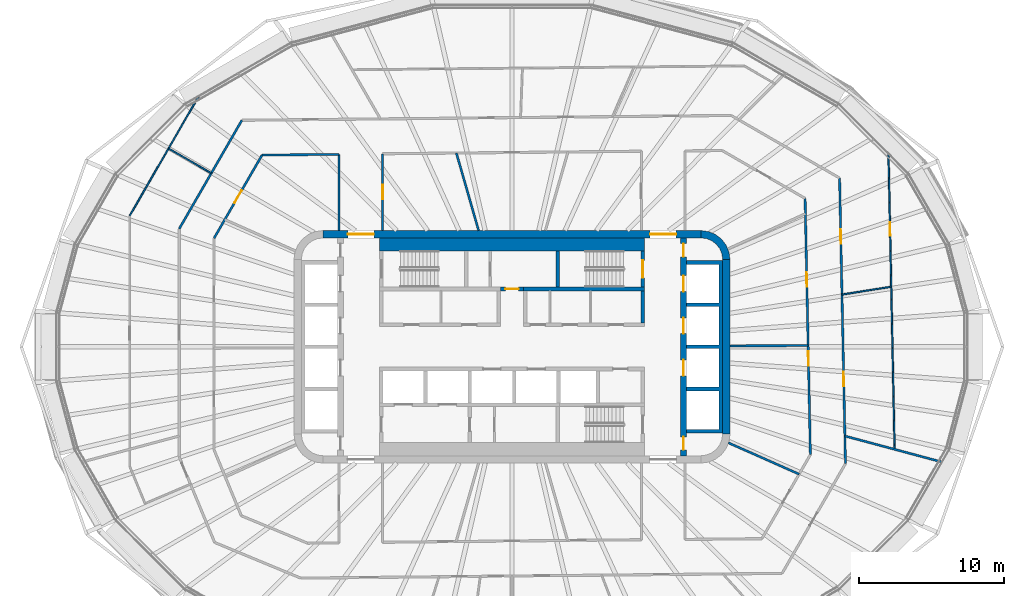
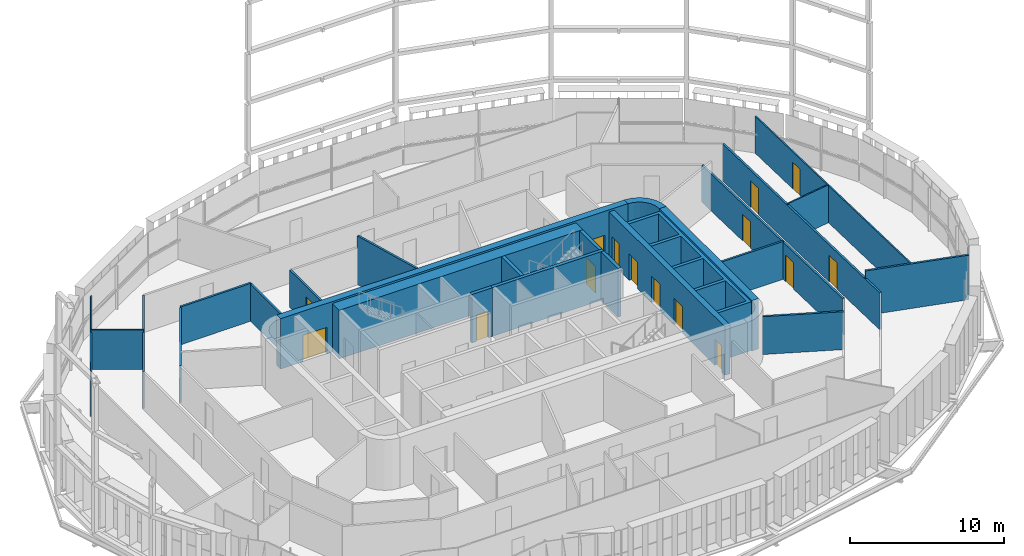
# One storey, part 14 of 24: 26 walls, 16 doors, 16 openings.
"""IFC4 building model written with IfcOpenShell, lengths in metres."""

from ifc_helpers import new_model, si_unit, direction, frame, frame_2d, origin, place, context, subcontext, project, spatial, polyline, rectangle, outline, extrude, material, layer, layer_set, type_object, element, fill, save


model = new_model("IFC4")

# Units and contexts
model_context = context("Model", 3, precision=1e-05, world=origin(), true_north=direction((0.0, 1.0)))
body_context = subcontext(model_context, "Body", "Model", "MODEL_VIEW")
ifc_project = project(units=[si_unit("LENGTHUNIT", "METRE"), si_unit("AREAUNIT", "SQUARE_METRE"), si_unit("VOLUMEUNIT", "CUBIC_METRE"), si_unit("PLANEANGLEUNIT", "RADIAN"), si_unit("MASSUNIT", "GRAM", prefix="KILO")], contexts=[model_context])

# Site, building, storey
site_placement = place(None, origin())
site = spatial("IfcSite", under=ifc_project, at=site_placement, CompositionType="ELEMENT")
building_placement = place(site_placement, origin())
building = spatial("IfcBuilding", under=site, at=building_placement, Name="Sahrelin Media Tower", CompositionType="ELEMENT")
storey_placement = place(building_placement, frame((0.0, 0.0, 153.60009765625)))
storey = spatial("IfcBuildingStorey", under=building, at=storey_placement, Name="L31", CompositionType="ELEMENT", Elevation=153.60009765625)

# Wall, openings, doors
ifc_material_1 = material(Name="Concrete C60/75", Category="concrete")
ifc_layer_1 = layer(ifc_material_1, 0.5)
ifc_layer_set_1 = layer_set([ifc_layer_1], Name="Core wall 500")
wall_type_1 = type_object("IfcWallType", Name="Core wall 500", PredefinedType="SHEAR", material=ifc_layer_set_1)
wall_1_placement = place(storey_placement, frame((-13.0, 7.75, 0.0), z_axis=(0.0, 0.0, 1.0), x_axis=(1.0, 0.0, 0.0)))
wall_1 = element("IfcWall", 1, at=wall_1_placement, inside=storey, type_object=wall_type_1, Name="Core wall N L31", PredefinedType="SHEAR", context=body_context, shape_type="SweptSolid", body=[
    extrude(rectangle(XDim=26.0, YDim=0.5, at=frame_2d((13.0, 0.0))), origin(), (0.0, 0.0, 1.0), 4.0),
])
opening_1_placement = place(wall_1_placement, frame((1.699951171875, 0.0, 0.0)))
opening_1 = element("IfcOpeningElement", 2, at=opening_1_placement, cuts=wall_1, Name="Opening L31-D19", PredefinedType="OPENING", context=body_context, shape_type="SweptSolid", body=[
    extrude(rectangle(XDim=1.800048828125, YDim=2.10009765625, at=frame_2d((0.89990234375, 1.050048828125))), frame((0.0, 0.25, 0.0), z_axis=(0.0, -1.0, 0.0), x_axis=(1.0, 0.0, 0.0)), (0.0, 0.0, 1.0), 0.5),
])
opening_2_placement = place(wall_1_placement, frame((22.5, 0.0, 0.0)))
opening_2 = element("IfcOpeningElement", 3, at=opening_2_placement, cuts=wall_1, Name="Opening L31-D20", PredefinedType="OPENING", context=body_context, shape_type="SweptSolid", body=[
    extrude(rectangle(XDim=1.800048828125, YDim=2.10009765625, at=frame_2d((0.89990234375, 1.050048828125))), frame((0.0, 0.25, 0.0), z_axis=(0.0, -1.0, 0.0), x_axis=(1.0, 0.0, 0.0)), (0.0, 0.0, 1.0), 0.5),
])
ifc_material_2 = material(Name="Steel fire door leaf", Category="steel")
door_type_1 = type_object("IfcDoorType", Name="Lobby double door 1800 x 2100 EI 60", OperationType="DOUBLE_DOOR_SINGLE_SWING", PredefinedType="DOOR", material=ifc_material_2)
door_1_placement = place(opening_1_placement, origin())
door_1 = element("IfcDoor", 4, at=door_1_placement, inside=storey, type_object=door_type_1, Name="Lobby door", OperationType="DOUBLE_DOOR_SINGLE_SWING", OverallHeight=2.10009765625, OverallWidth=1.800048828125, PredefinedType="DOOR", context=body_context, shape_type="SweptSolid", body=[
    extrude(rectangle(XDim=1.800048828125, YDim=2.10009765625, at=frame_2d((0.89990234375, 1.050048828125))), frame((0.0, 0.02490234375, 0.0), z_axis=(0.0, -1.0, 0.0), x_axis=(1.0, 0.0, 0.0)), (0.0, 0.0, 1.0), 0.050048828125),
])
fill(opening_1, door_1)
door_2_placement = place(opening_2_placement, origin())
door_2 = element("IfcDoor", 5, at=door_2_placement, inside=storey, type_object=door_type_1, Name="Lobby door", OperationType="DOUBLE_DOOR_SINGLE_SWING", OverallHeight=2.10009765625, OverallWidth=1.800048828125, PredefinedType="DOOR", context=body_context, shape_type="SweptSolid", body=[
    extrude(rectangle(XDim=1.800048828125, YDim=2.10009765625, at=frame_2d((0.89990234375, 1.050048828125))), frame((0.0, 0.02490234375, 0.0), z_axis=(0.0, -1.0, 0.0), x_axis=(1.0, 0.0, 0.0)), (0.0, 0.0, 1.0), 0.050048828125),
])
fill(opening_2, door_2)

# Walls
wall_2_placement = place(storey_placement, frame((14.75, -6.0, 0.0), z_axis=(0.0, 0.0, 1.0), x_axis=(0.0, 1.0, 0.0)))
element("IfcWall", 6, at=wall_2_placement, inside=storey, type_object=wall_type_1, Name="Core wall E L31", PredefinedType="SHEAR", context=body_context, shape_type="SweptSolid", body=[
    extrude(rectangle(XDim=12.0, YDim=0.5, at=frame_2d((6.0, 0.0))), origin(), (0.0, 0.0, 1.0), 4.0),
])
placement = place(storey_placement, origin())
element("IfcWall", 7, at=placement, inside=storey, type_object=wall_type_1, Name="Core wall corner NE L31", PredefinedType="SHEAR", context=body_context, shape_type="SweptSolid", body=[
    extrude(outline(polyline([(13.0, 8.0), (13.0, 7.49560546875), (13.38720703125, 7.44482421875), (13.747802734375, 7.29541015625), (14.0576171875, 7.0576171875), (14.29541015625, 6.747802734375), (14.44482421875, 6.38720703125), (14.49560546875, 6.0), (15.0, 6.0), (14.931884765625, 6.517578125), (14.732177734375, 7.0), (14.414306640625, 7.414306640625), (14.0, 7.732177734375), (13.517578125, 7.931884765625), (13.0, 8.0)])), origin(), (0.0, 0.0, 1.0), 4.0),
])

# Wall, opening, door
ifc_material_3 = material(Name="Fire-rated gypsum board partition")
ifc_layer_2 = layer(ifc_material_3, 0.25)
ifc_layer_set_2 = layer_set([ifc_layer_2], Name="Fire-rated lobby wall 250")
wall_type_2 = type_object("IfcWallType", Name="Fire-rated lobby wall 250", PredefinedType="PARTITIONING", material=ifc_layer_set_2)
wall_4_placement = place(storey_placement, frame((-0.77490234375, 3.97509765625, 0.0), z_axis=(0.0, 0.0, 1.0), x_axis=(1.0, 0.0, 0.0)))
wall_4 = element("IfcWall", 8, at=wall_4_placement, inside=storey, type_object=wall_type_2, Name="Core lobby wall", PredefinedType="PARTITIONING", context=body_context, shape_type="SweptSolid", body=[
    extrude(rectangle(XDim=1.5498046875, YDim=0.25, at=frame_2d((0.77490234375, 0.0))), origin(), (0.0, 0.0, 1.0), 3.849853515625),
])
opening_3_placement = place(wall_4_placement, frame((0.324951171875, 0.0, 0.0)))
opening_3 = element("IfcOpeningElement", 9, at=opening_3_placement, cuts=wall_4, Name="Opening L31-D06", PredefinedType="OPENING", context=body_context, shape_type="SweptSolid", body=[
    extrude(rectangle(XDim=0.89990234375, YDim=2.10009765625, at=frame_2d((0.449951171875, 1.050048828125))), frame((0.0, 0.125, 0.0), z_axis=(0.0, -1.0, 0.0), x_axis=(1.0, 0.0, 0.0)), (0.0, 0.0, 1.0), 0.25),
])
door_type_2 = type_object("IfcDoorType", Name="Riser door 900 x 2100 EI 120", OperationType="NOTDEFINED", PredefinedType="DOOR", material=ifc_material_2)
door_3_placement = place(opening_3_placement, origin())
door_3 = element("IfcDoor", 10, at=door_3_placement, inside=storey, type_object=door_type_2, Name="Core room door", OperationType="SINGLE_SWING_LEFT", OverallHeight=2.10009765625, OverallWidth=0.89990234375, PredefinedType="DOOR", context=body_context, shape_type="SweptSolid", body=[
    extrude(rectangle(XDim=0.89990234375, YDim=2.10009765625, at=frame_2d((0.449951171875, 1.050048828125))), frame((0.0, 0.02490234375, 0.0), z_axis=(0.0, -1.0, 0.0), x_axis=(1.0, 0.0, 0.0)), (0.0, 0.0, 1.0), 0.050048828125),
])
fill(opening_3, door_3)

# Wall
wall_5_placement = place(storey_placement, frame((9.0, 1.64990234375, 0.0), z_axis=(0.0, 0.0, 1.0), x_axis=(0.0, 1.0, 0.0)))
element("IfcWall", 11, at=wall_5_placement, inside=storey, type_object=wall_type_2, Name="Core lobby wall", PredefinedType="PARTITIONING", context=body_context, shape_type="SweptSolid", body=[
    extrude(rectangle(XDim=2.2001953125, YDim=0.25, at=frame_2d((1.10009765625, 0.0))), origin(), (0.0, 0.0, 1.0), 3.849853515625),
])

# Wall, openings, doors
ifc_layer_3 = layer(ifc_material_3, 0.14990234375)
ifc_layer_set_3 = layer_set([ifc_layer_3], Name="Fire-rated partition 150")
wall_type_3 = type_object("IfcWallType", Name="Fire-rated partition 150", PredefinedType="PARTITIONING", material=ifc_layer_set_3)
wall_6_placement = place(storey_placement, frame((20.1669921875, 10.212890625, 0.0), z_axis=(0.0, 0.0, 1.0), x_axis=(0.020610894613, -0.999787572949, 0.0)))
wall_6 = element("IfcWall", 12, at=wall_6_placement, inside=storey, type_object=wall_type_3, Name="Wall", PredefinedType="PARTITIONING", context=body_context, shape_type="SweptSolid", body=[
    extrude(rectangle(XDim=17.637451171875, YDim=0.14990234375, at=frame_2d((8.81884765625, 0.0))), origin(), (0.0, 0.0, 1.0), 2.927001953125),
])
opening_4_placement = place(wall_6_placement, frame((10.5078125, 0.0, 0.0)))
opening_4 = element("IfcOpeningElement", 13, at=opening_4_placement, cuts=wall_6, Name="Opening L31-D27", PredefinedType="OPENING", context=body_context, shape_type="SweptSolid", body=[
    extrude(rectangle(XDim=1.0, YDim=2.10009765625, at=frame_2d((0.5, 1.050048828125))), frame((0.0, 0.074951171875, 0.0), z_axis=(0.0, -1.0, 0.0), x_axis=(1.0, 0.0, 0.0)), (0.0, 0.0, 1.0), 0.14990234375),
])
opening_5_placement = place(wall_6_placement, frame((5.089599609375, 0.0, 0.0)))
opening_5 = element("IfcOpeningElement", 14, at=opening_5_placement, cuts=wall_6, Name="Opening L31-D28", PredefinedType="OPENING", context=body_context, shape_type="SweptSolid", body=[
    extrude(rectangle(XDim=1.0, YDim=2.10009765625, at=frame_2d((0.5, 1.050048828125))), frame((0.0, 0.074951171875, 0.0), z_axis=(0.0, -1.0, 0.0), x_axis=(1.0, 0.0, 0.0)), (0.0, 0.0, 1.0), 0.14990234375),
])
door_type_3 = type_object("IfcDoorType", Name="Fire door 1000 x 2100 EI 60", OperationType="NOTDEFINED", PredefinedType="DOOR", material=ifc_material_2)
door_4_placement = place(opening_4_placement, origin())
door_4 = element("IfcDoor", 15, at=door_4_placement, inside=storey, type_object=door_type_3, Name="Fire door", OperationType="SINGLE_SWING_RIGHT", OverallHeight=2.10009765625, OverallWidth=1.0, PredefinedType="DOOR", context=body_context, shape_type="SweptSolid", body=[
    extrude(rectangle(XDim=1.0, YDim=2.10009765625, at=frame_2d((0.5, 1.050048828125))), frame((0.0, 0.02490234375, 0.0), z_axis=(0.0, -1.0, 0.0), x_axis=(1.0, 0.0, 0.0)), (0.0, 0.0, 1.0), 0.050048828125),
])
fill(opening_4, door_4)
door_5_placement = place(opening_5_placement, origin())
door_5 = element("IfcDoor", 16, at=door_5_placement, inside=storey, type_object=door_type_3, Name="Fire door", OperationType="SINGLE_SWING_LEFT", OverallHeight=2.10009765625, OverallWidth=1.0, PredefinedType="DOOR", context=body_context, shape_type="SweptSolid", body=[
    extrude(rectangle(XDim=1.0, YDim=2.10009765625, at=frame_2d((0.5, 1.050048828125))), frame((0.0, 0.02490234375, 0.0), z_axis=(0.0, -1.0, 0.0), x_axis=(1.0, 0.0, 0.0)), (0.0, 0.0, 1.0), 0.050048828125),
])
fill(opening_5, door_5)

wall_7_placement = place(storey_placement, frame((22.5390625, 11.614990234375, 0.0), z_axis=(0.0, 0.0, 1.0), x_axis=(0.020601506683, -0.99978776644, 0.0)))
wall_7 = element("IfcWall", 17, at=wall_7_placement, inside=storey, type_object=wall_type_3, Name="Wall", PredefinedType="PARTITIONING", context=body_context, shape_type="SweptSolid", body=[
    extrude(rectangle(XDim=19.66015625, YDim=0.14990234375, at=frame_2d((9.830078125, 0.0))), origin(), (0.0, 0.0, 1.0), 2.927001953125),
])
opening_6_placement = place(wall_7_placement, frame((13.34130859375, 0.0, 0.0)))
opening_6 = element("IfcOpeningElement", 18, at=opening_6_placement, cuts=wall_7, Name="Opening L31-D53", PredefinedType="OPENING", context=body_context, shape_type="SweptSolid", body=[
    extrude(rectangle(XDim=1.0, YDim=2.10009765625, at=frame_2d((0.5, 1.050048828125))), frame((0.0, 0.074951171875, 0.0), z_axis=(0.0, -1.0, 0.0), x_axis=(1.0, 0.0, 0.0)), (0.0, 0.0, 1.0), 0.14990234375),
])
opening_7_placement = place(wall_7_placement, frame((3.509521484375, 0.0, 0.0)))
opening_7 = element("IfcOpeningElement", 19, at=opening_7_placement, cuts=wall_7, Name="Opening L31-D54", PredefinedType="OPENING", context=body_context, shape_type="SweptSolid", body=[
    extrude(rectangle(XDim=1.0, YDim=2.10009765625, at=frame_2d((0.5, 1.050048828125))), frame((0.0, 0.074951171875, 0.0), z_axis=(0.0, -1.0, 0.0), x_axis=(1.0, 0.0, 0.0)), (0.0, 0.0, 1.0), 0.14990234375),
])
door_6_placement = place(opening_6_placement, origin())
door_6 = element("IfcDoor", 20, at=door_6_placement, inside=storey, type_object=door_type_3, Name="Fire door", OperationType="SINGLE_SWING_RIGHT", OverallHeight=2.10009765625, OverallWidth=1.0, PredefinedType="DOOR", context=body_context, shape_type="SweptSolid", body=[
    extrude(rectangle(XDim=1.0, YDim=2.10009765625, at=frame_2d((0.5, 1.050048828125))), frame((0.0, 0.02490234375, 0.0), z_axis=(0.0, -1.0, 0.0), x_axis=(1.0, 0.0, 0.0)), (0.0, 0.0, 1.0), 0.050048828125),
])
fill(opening_6, door_6)
door_7_placement = place(opening_7_placement, origin())
door_7 = element("IfcDoor", 21, at=door_7_placement, inside=storey, type_object=door_type_3, Name="Fire door", OperationType="SINGLE_SWING_LEFT", OverallHeight=2.10009765625, OverallWidth=1.0, PredefinedType="DOOR", context=body_context, shape_type="SweptSolid", body=[
    extrude(rectangle(XDim=1.0, YDim=2.10009765625, at=frame_2d((0.5, 1.050048828125))), frame((0.0, 0.02490234375, 0.0), z_axis=(0.0, -1.0, 0.0), x_axis=(1.0, 0.0, 0.0)), (0.0, 0.0, 1.0), 0.050048828125),
])
fill(opening_7, door_7)

# Walls
wall_8_placement = place(storey_placement, frame((-3.826904296875, 13.3330078125, 0.0), z_axis=(0.0, 0.0, 1.0), x_axis=(0.275935525478, -0.961176147113, 0.0)))
element("IfcWall", 22, at=wall_8_placement, inside=storey, type_object=wall_type_3, Name="Wall", PredefinedType="PARTITIONING", context=body_context, shape_type="SweptSolid", body=[
    extrude(rectangle(XDim=5.54833984375, YDim=0.14990234375, at=frame_2d((2.774169921875, 0.0))), origin(), (0.0, 0.0, 1.0), 3.849853515625),
])
wall_9_placement = place(storey_placement, frame((14.89501953125, -6.60693359375, 0.0), z_axis=(0.0, 0.0, 1.0), x_axis=(0.914233271379, -0.405188259337, 0.0)))
element("IfcWall", 23, at=wall_9_placement, inside=storey, type_object=wall_type_3, Name="Wall", PredefinedType="PARTITIONING", context=body_context, shape_type="SweptSolid", body=[
    extrude(rectangle(XDim=5.3173828125, YDim=0.14990234375, at=frame_2d((2.65869140625, 0.0))), origin(), (0.0, 0.0, 1.0), 2.994873046875),
])
wall_10_placement = place(storey_placement, frame((22.905029296875, -6.136962890625, 0.0), z_axis=(0.0, 0.0, 1.0), x_axis=(0.965908688021, -0.25888299752, 0.0)))
element("IfcWall", 24, at=wall_10_placement, inside=storey, type_object=wall_type_3, Name="Wall", PredefinedType="PARTITIONING", context=body_context, shape_type="SweptSolid", body=[
    extrude(rectangle(XDim=6.922119140625, YDim=0.14990234375, at=frame_2d((3.4609375, 0.0))), origin(), (0.0, 0.0, 1.0), 3.526611328125),
])
wall_11_placement = place(storey_placement, frame((15.0, 0.06298828125, 0.0), z_axis=(0.0, 0.0, 1.0), x_axis=(0.999990294223, 0.004405843865, 0.0)))
element("IfcWall", 25, at=wall_11_placement, inside=storey, type_object=wall_type_3, Name="Wall", PredefinedType="PARTITIONING", context=body_context, shape_type="SweptSolid", body=[
    extrude(rectangle(XDim=5.375, YDim=0.14990234375, at=frame_2d((2.6875, 0.0))), origin(), (0.0, 0.0, 1.0), 2.994873046875),
])
wall_12_placement = place(storey_placement, frame((-17.194091796875, 13.19091796875, 0.0), z_axis=(0.0, 0.0, 1.0), x_axis=(0.999950853109, 0.009914200296, 0.0)))
element("IfcWall", 26, at=wall_12_placement, inside=storey, type_object=wall_type_3, Name="Wall", PredefinedType="PARTITIONING", context=body_context, shape_type="SweptSolid", body=[
    extrude(rectangle(XDim=5.29443359375, YDim=0.14990234375, at=frame_2d((2.647216796875, 0.0))), origin(), (0.0, 0.0, 1.0), 2.994873046875),
])

# Wall, opening, door
wall_13_placement = place(storey_placement, frame((-20.5, 7.47412109375, 0.0), z_axis=(0.0, 0.0, 1.0), x_axis=(0.500012665616, 0.866018091164, 0.0)))
wall_13 = element("IfcWall", 27, at=wall_13_placement, inside=storey, type_object=wall_type_3, Name="Wall", PredefinedType="PARTITIONING", context=body_context, shape_type="SweptSolid", body=[
    extrude(rectangle(XDim=6.602294921875, YDim=0.14990234375, at=frame_2d((3.30126953125, 0.0))), origin(), (0.0, 0.0, 1.0), 2.927001953125),
])
opening_8_placement = place(wall_13_placement, frame((2.802978515625, 0.0, 0.0)))
opening_8 = element("IfcOpeningElement", 28, at=opening_8_placement, cuts=wall_13, Name="Opening L31-D33", PredefinedType="OPENING", context=body_context, shape_type="SweptSolid", body=[
    extrude(rectangle(XDim=1.0, YDim=2.10009765625, at=frame_2d((0.5, 1.050048828125))), frame((0.0, 0.074951171875, 0.0), z_axis=(0.0, -1.0, 0.0), x_axis=(1.0, 0.0, 0.0)), (0.0, 0.0, 1.0), 0.14990234375),
])
door_8_placement = place(opening_8_placement, origin())
door_8 = element("IfcDoor", 29, at=door_8_placement, inside=storey, type_object=door_type_3, Name="Fire door", OperationType="SINGLE_SWING_LEFT", OverallHeight=2.10009765625, OverallWidth=1.0, PredefinedType="DOOR", context=body_context, shape_type="SweptSolid", body=[
    extrude(rectangle(XDim=1.0, YDim=2.10009765625, at=frame_2d((0.5, 1.050048828125))), frame((0.0, 0.02490234375, 0.0), z_axis=(0.0, -1.0, 0.0), x_axis=(1.0, 0.0, 0.0)), (0.0, 0.0, 1.0), 0.050048828125),
])
fill(opening_8, door_8)

# Wall
wall_14_placement = place(storey_placement, frame((-22.900146484375, 8.116943359375, 0.0), z_axis=(0.0, 0.0, 1.0), x_axis=(0.5000050195, 0.866022505755, 0.0)))
element("IfcWall", 30, at=wall_14_placement, inside=storey, type_object=wall_type_3, Name="Wall", PredefinedType="PARTITIONING", context=body_context, shape_type="SweptSolid", body=[
    extrude(rectangle(XDim=8.6259765625, YDim=0.14990234375, at=frame_2d((4.31298828125, 0.0))), origin(), (0.0, 0.0, 1.0), 2.927001953125),
])

# Wall, opening, door
wall_15_placement = place(storey_placement, frame((-8.89990234375, 8.0, 0.0), z_axis=(0.0, 0.0, 1.0), x_axis=(0.0, 1.0, 0.0)))
wall_15 = element("IfcWall", 31, at=wall_15_placement, inside=storey, type_object=wall_type_3, Name="Wall", PredefinedType="PARTITIONING", context=body_context, shape_type="SweptSolid", body=[
    extrude(rectangle(XDim=5.282958984375, YDim=0.14990234375, at=frame_2d((2.6416015625, 0.0))), origin(), (0.0, 0.0, 1.0), 2.927001953125),
])
opening_9_placement = place(wall_15_placement, frame((2.1416015625, 0.0, 0.0)))
opening_9 = element("IfcOpeningElement", 32, at=opening_9_placement, cuts=wall_15, Name="Opening L31-D32", PredefinedType="OPENING", context=body_context, shape_type="SweptSolid", body=[
    extrude(rectangle(XDim=1.0, YDim=2.10009765625, at=frame_2d((0.5, 1.050048828125))), frame((0.0, 0.074951171875, 0.0), z_axis=(0.0, -1.0, 0.0), x_axis=(1.0, 0.0, 0.0)), (0.0, 0.0, 1.0), 0.14990234375),
])
door_9_placement = place(opening_9_placement, origin())
door_9 = element("IfcDoor", 33, at=door_9_placement, inside=storey, type_object=door_type_3, Name="Fire door", OperationType="SINGLE_SWING_RIGHT", OverallHeight=2.10009765625, OverallWidth=1.0, PredefinedType="DOOR", context=body_context, shape_type="SweptSolid", body=[
    extrude(rectangle(XDim=1.0, YDim=2.10009765625, at=frame_2d((0.5, 1.050048828125))), frame((0.0, 0.02490234375, 0.0), z_axis=(0.0, -1.0, 0.0), x_axis=(1.0, 0.0, 0.0)), (0.0, 0.0, 1.0), 0.050048828125),
])
fill(opening_9, door_9)

# Walls
wall_16_placement = place(storey_placement, frame((-11.89990234375, 8.0, 0.0), z_axis=(0.0, 0.0, 1.0), x_axis=(0.0, 1.0, 0.0)))
element("IfcWall", 34, at=wall_16_placement, inside=storey, type_object=wall_type_3, Name="Wall", PredefinedType="PARTITIONING", context=body_context, shape_type="SweptSolid", body=[
    extrude(rectangle(XDim=5.242919921875, YDim=0.14990234375, at=frame_2d((2.62158203125, 0.0))), origin(), (0.0, 0.0, 1.0), 2.927001953125),
])
ifc_layer_4 = layer(ifc_material_1, 0.25)
ifc_layer_set_4 = layer_set([ifc_layer_4], Name="Lift shaft wall 250")
wall_type_4 = type_object("IfcWallType", Name="Lift shaft wall 250", PredefinedType="SOLIDWALL", material=ifc_layer_set_4)
element("IfcWall", 35, at=placement, inside=storey, type_object=wall_type_4, Name="Lift shaft wall", PredefinedType="SOLIDWALL", context=body_context, shape_type="SweptSolid", body=[
    extrude(outline(polyline([(12.0, -5.675048828125), (12.0, -5.925048828125), (14.25, -5.925048828125), (14.5, -5.925048828125), (14.5, -5.675048828125), (14.5, -3.02490234375), (14.5, -2.77490234375), (14.5, -0.125), (14.5, 0.125), (14.5, 2.77490234375), (14.5, 3.02490234375), (14.5, 5.675048828125), (14.5, 5.925048828125), (14.25, 5.925048828125), (12.0, 5.925048828125), (12.0, 5.675048828125), (14.25, 5.675048828125), (14.25, 3.02490234375), (12.0, 3.02490234375), (12.0, 2.77490234375), (14.25, 2.77490234375), (14.25, 0.125), (12.0, 0.125), (12.0, -0.125), (14.25, -0.125), (14.25, -2.77490234375), (12.0, -2.77490234375), (12.0, -3.02490234375), (14.25, -3.02490234375), (14.25, -5.675048828125), (12.0, -5.675048828125)])), origin(), (0.0, 0.0, 1.0), 3.849853515625),
])

# Wall, openings, doors
ifc_layer_5 = layer(ifc_material_1, 0.39990234375)
ifc_layer_set_5 = layer_set([ifc_layer_5], Name="Lift shaft wall 400")
wall_type_5 = type_object("IfcWallType", Name="Lift shaft wall 400", PredefinedType="SOLIDWALL", material=ifc_layer_set_5)
wall_18_placement = place(storey_placement, frame((11.800048828125, -7.5, 0.0), z_axis=(0.0, 0.0, 1.0), x_axis=(0.0, 1.0, 0.0)))
wall_18 = element("IfcWall", 36, at=wall_18_placement, inside=storey, type_object=wall_type_5, Name="Lift shaft wall", PredefinedType="SOLIDWALL", context=body_context, shape_type="SweptSolid", body=[
    extrude(rectangle(XDim=15.0, YDim=0.39990234375, at=frame_2d((7.5, 0.0))), origin(), (0.0, 0.0, 1.0), 3.849853515625),
])
opening_10_placement = place(wall_18_placement, frame((11.300048828125, 0.0, 0.0)))
opening_10 = element("IfcOpeningElement", 37, at=opening_10_placement, cuts=wall_18, Name="Opening L31-LD-LR4", PredefinedType="OPENING", context=body_context, shape_type="SweptSolid", body=[
    extrude(rectangle(XDim=1.10009765625, YDim=2.10009765625, at=frame_2d((0.550048828125, 1.050048828125))), frame((0.0, 0.199951171875, 0.0), z_axis=(0.0, -1.0, 0.0), x_axis=(1.0, 0.0, 0.0)), (0.0, 0.0, 1.0), 0.39990234375),
])
opening_11_placement = place(wall_18_placement, frame((8.39990234375, 0.0, 0.0)))
opening_11 = element("IfcOpeningElement", 38, at=opening_11_placement, cuts=wall_18, Name="Opening L31-LD-LR5", PredefinedType="OPENING", context=body_context, shape_type="SweptSolid", body=[
    extrude(rectangle(XDim=1.10009765625, YDim=2.10009765625, at=frame_2d((0.550048828125, 1.050048828125))), frame((0.0, 0.199951171875, 0.0), z_axis=(0.0, -1.0, 0.0), x_axis=(1.0, 0.0, 0.0)), (0.0, 0.0, 1.0), 0.39990234375),
])
opening_12_placement = place(wall_18_placement, frame((5.5, 0.0, 0.0)))
opening_12 = element("IfcOpeningElement", 39, at=opening_12_placement, cuts=wall_18, Name="Opening L31-LD-LR6", PredefinedType="OPENING", context=body_context, shape_type="SweptSolid", body=[
    extrude(rectangle(XDim=1.10009765625, YDim=2.10009765625, at=frame_2d((0.550048828125, 1.050048828125))), frame((0.0, 0.199951171875, 0.0), z_axis=(0.0, -1.0, 0.0), x_axis=(1.0, 0.0, 0.0)), (0.0, 0.0, 1.0), 0.39990234375),
])
opening_13_placement = place(wall_18_placement, frame((13.696533203125, 0.0, 0.0)))
opening_13 = element("IfcOpeningElement", 40, at=opening_13_placement, cuts=wall_18, Name="Opening L31-D17", PredefinedType="OPENING", context=body_context, shape_type="SweptSolid", body=[
    extrude(rectangle(XDim=0.89990234375, YDim=2.10009765625, at=frame_2d((0.449951171875, 1.050048828125))), frame((0.0, 0.199951171875, 0.0), z_axis=(0.0, -1.0, 0.0), x_axis=(1.0, 0.0, 0.0)), (0.0, 0.0, 1.0), 0.39990234375),
])
opening_14_placement = place(wall_18_placement, frame((0.4033203125, 0.0, 0.0)))
opening_14 = element("IfcOpeningElement", 41, at=opening_14_placement, cuts=wall_18, Name="Opening L31-D18", PredefinedType="OPENING", context=body_context, shape_type="SweptSolid", body=[
    extrude(rectangle(XDim=0.89990234375, YDim=2.10009765625, at=frame_2d((0.449951171875, 1.050048828125))), frame((0.0, 0.199951171875, 0.0), z_axis=(0.0, -1.0, 0.0), x_axis=(1.0, 0.0, 0.0)), (0.0, 0.0, 1.0), 0.39990234375),
])
ifc_material_4 = material(Name="Stainless steel", Category="steel")
door_type_4 = type_object("IfcDoorType", Name="Lift landing door 1100 x 2100 EI 120", OperationType="DOUBLE_DOOR_SLIDING", PredefinedType="DOOR", material=ifc_material_4)
door_10_placement = place(opening_10_placement, origin())
door_10 = element("IfcDoor", 42, at=door_10_placement, inside=storey, type_object=door_type_4, Name="Lift landing door LR4", OperationType="DOUBLE_DOOR_SLIDING", OverallHeight=2.10009765625, OverallWidth=1.10009765625, PredefinedType="DOOR", context=body_context, shape_type="SweptSolid", body=[
    extrude(rectangle(XDim=1.10009765625, YDim=2.10009765625, at=frame_2d((0.550048828125, 1.050048828125))), frame((0.0, 0.02490234375, 0.0), z_axis=(0.0, -1.0, 0.0), x_axis=(1.0, 0.0, 0.0)), (0.0, 0.0, 1.0), 0.050048828125),
])
fill(opening_10, door_10)
door_11_placement = place(opening_11_placement, origin())
door_11 = element("IfcDoor", 43, at=door_11_placement, inside=storey, type_object=door_type_4, Name="Lift landing door LR5", OperationType="DOUBLE_DOOR_SLIDING", OverallHeight=2.10009765625, OverallWidth=1.10009765625, PredefinedType="DOOR", context=body_context, shape_type="SweptSolid", body=[
    extrude(rectangle(XDim=1.10009765625, YDim=2.10009765625, at=frame_2d((0.550048828125, 1.050048828125))), frame((0.0, 0.02490234375, 0.0), z_axis=(0.0, -1.0, 0.0), x_axis=(1.0, 0.0, 0.0)), (0.0, 0.0, 1.0), 0.050048828125),
])
fill(opening_11, door_11)
door_12_placement = place(opening_12_placement, origin())
door_12 = element("IfcDoor", 44, at=door_12_placement, inside=storey, type_object=door_type_4, Name="Lift landing door LR6", OperationType="DOUBLE_DOOR_SLIDING", OverallHeight=2.10009765625, OverallWidth=1.10009765625, PredefinedType="DOOR", context=body_context, shape_type="SweptSolid", body=[
    extrude(rectangle(XDim=1.10009765625, YDim=2.10009765625, at=frame_2d((0.550048828125, 1.050048828125))), frame((0.0, 0.02490234375, 0.0), z_axis=(0.0, -1.0, 0.0), x_axis=(1.0, 0.0, 0.0)), (0.0, 0.0, 1.0), 0.050048828125),
])
fill(opening_12, door_12)
door_13_placement = place(opening_13_placement, origin())
door_13 = element("IfcDoor", 45, at=door_13_placement, inside=storey, type_object=door_type_2, Name="Riser door", OperationType="SINGLE_SWING_RIGHT", OverallHeight=2.10009765625, OverallWidth=0.89990234375, PredefinedType="DOOR", context=body_context, shape_type="SweptSolid", body=[
    extrude(rectangle(XDim=0.89990234375, YDim=2.10009765625, at=frame_2d((0.449951171875, 1.050048828125))), frame((0.0, 0.02490234375, 0.0), z_axis=(0.0, -1.0, 0.0), x_axis=(1.0, 0.0, 0.0)), (0.0, 0.0, 1.0), 0.050048828125),
])
fill(opening_13, door_13)
door_14_placement = place(opening_14_placement, origin())
door_14 = element("IfcDoor", 46, at=door_14_placement, inside=storey, type_object=door_type_2, Name="Riser door", OperationType="SINGLE_SWING_RIGHT", OverallHeight=2.10009765625, OverallWidth=0.89990234375, PredefinedType="DOOR", context=body_context, shape_type="SweptSolid", body=[
    extrude(rectangle(XDim=0.89990234375, YDim=2.10009765625, at=frame_2d((0.449951171875, 1.050048828125))), frame((0.0, 0.02490234375, 0.0), z_axis=(0.0, -1.0, 0.0), x_axis=(1.0, 0.0, 0.0)), (0.0, 0.0, 1.0), 0.050048828125),
])
fill(opening_14, door_14)

# Wall, opening, door
ifc_material_5 = material(Name="Gypsum board partition")
ifc_layer_6 = layer(ifc_material_5, 0.10009765625)
ifc_layer_set_6 = layer_set([ifc_layer_6], Name="Partition 100")
wall_type_6 = type_object("IfcWallType", Name="Partition 100", PredefinedType="PARTITIONING", material=ifc_layer_set_6)
wall_19_placement = place(storey_placement, frame((25.905029296875, 13.294921875, 0.0), z_axis=(0.0, 0.0, 1.0), x_axis=(0.020631727872, -0.999787143249, 0.0)))
wall_19 = element("IfcWall", 47, at=wall_19_placement, inside=storey, type_object=wall_type_6, Name="Wall", PredefinedType="PARTITIONING", context=body_context, shape_type="SweptSolid", body=[
    extrude(rectangle(XDim=20.353271484375, YDim=0.10009765625, at=frame_2d((10.1767578125, 0.0))), origin(), (0.0, 0.0, 1.0), 2.927001953125),
])
opening_15_placement = place(wall_19_placement, frame((4.7373046875, 0.0, 0.0)))
opening_15 = element("IfcOpeningElement", 48, at=opening_15_placement, cuts=wall_19, Name="Opening L31-D55", PredefinedType="OPENING", context=body_context, shape_type="SweptSolid", body=[
    extrude(rectangle(XDim=0.89990234375, YDim=2.10009765625, at=frame_2d((0.449951171875, 1.050048828125))), frame((0.0, 0.050048828125, 0.0), z_axis=(0.0, -1.0, 0.0), x_axis=(1.0, 0.0, 0.0)), (0.0, 0.0, 1.0), 0.10009765625),
])
ifc_material_6 = material(Name="Timber door leaf", Category="wood")
door_type_5 = type_object("IfcDoorType", Name="Single door 900 x 2100", OperationType="NOTDEFINED", PredefinedType="DOOR", material=ifc_material_6)
door_15_placement = place(opening_15_placement, origin())
door_15 = element("IfcDoor", 49, at=door_15_placement, inside=storey, type_object=door_type_5, Name="Single door", OperationType="SINGLE_SWING_LEFT", OverallHeight=2.10009765625, OverallWidth=0.89990234375, PredefinedType="DOOR", context=body_context, shape_type="SweptSolid", body=[
    extrude(rectangle(XDim=0.89990234375, YDim=2.10009765625, at=frame_2d((0.449951171875, 1.050048828125))), frame((0.0, 0.02490234375, 0.0), z_axis=(0.0, -1.0, 0.0), x_axis=(1.0, 0.0, 0.0)), (0.0, 0.0, 1.0), 0.050048828125),
])
fill(opening_15, door_15)

# Walls
wall_20_placement = place(storey_placement, frame((-23.634033203125, 13.64501953125, 0.0), z_axis=(0.0, 0.0, 1.0), x_axis=(0.866002606077, -0.500039484709, 0.0)))
element("IfcWall", 50, at=wall_20_placement, inside=storey, type_object=wall_type_6, Name="Wall", PredefinedType="PARTITIONING", context=body_context, shape_type="SweptSolid", body=[
    extrude(rectangle(XDim=3.399658203125, YDim=0.10009765625, at=frame_2d((1.69970703125, 0.0))), origin(), (0.0, 0.0, 1.0), 3.15185546875),
])
wall_21_placement = place(storey_placement, frame((22.7041015625, 3.595947265625, 0.0), z_axis=(0.0, 0.0, 1.0), x_axis=(0.987679194201, 0.156492202178, 0.0)))
element("IfcWall", 51, at=wall_21_placement, inside=storey, type_object=wall_type_6, Name="Wall", PredefinedType="PARTITIONING", context=body_context, shape_type="SweptSolid", body=[
    extrude(rectangle(XDim=3.43212890625, YDim=0.10009765625, at=frame_2d((1.716064453125, 0.0))), origin(), (0.0, 0.0, 1.0), 2.994873046875),
])
wall_22_placement = place(storey_placement, frame((-26.300048828125, 9.028076171875, 0.0), z_axis=(0.0, 0.0, 1.0), x_axis=(0.499994996542, 0.866028292513, 0.0)))
element("IfcWall", 52, at=wall_22_placement, inside=storey, type_object=wall_type_6, Name="Wall", PredefinedType="PARTITIONING", context=body_context, shape_type="SweptSolid", body=[
    extrude(rectangle(XDim=9.48583984375, YDim=0.10009765625, at=frame_2d((4.742919921875, 0.0))), origin(), (0.0, 0.0, 1.0), 2.927001953125),
])

# Wall, opening, door
ifc_layer_7 = layer(ifc_material_1, 0.25)
ifc_layer_set_7 = layer_set([ifc_layer_7], Name="Stair enclosure wall 250")
wall_type_7 = type_object("IfcWallType", Name="Stair enclosure wall 250", PredefinedType="SOLIDWALL", material=ifc_layer_set_7)
wall_23_placement = place(storey_placement, frame((9.0, 4.10009765625, 0.0), z_axis=(0.0, 0.0, 1.0), x_axis=(0.0, 1.0, 0.0)))
wall_23 = element("IfcWall", 53, at=wall_23_placement, inside=storey, type_object=wall_type_7, Name="Stair enclosure wall", PredefinedType="SOLIDWALL", context=body_context, shape_type="SweptSolid", body=[
    extrude(rectangle(XDim=2.5, YDim=0.25, at=frame_2d((1.25, 0.0))), origin(), (0.0, 0.0, 1.0), 3.849853515625),
])
opening_16_placement = place(wall_23_placement, frame((0.64990234375, 0.0, 0.0)))
opening_16 = element("IfcOpeningElement", 54, at=opening_16_placement, cuts=wall_23, Name="Opening L31-D02", PredefinedType="OPENING", context=body_context, shape_type="SweptSolid", body=[
    extrude(rectangle(XDim=1.199951171875, YDim=2.10009765625, at=frame_2d((0.60009765625, 1.050048828125))), frame((0.0, 0.125, 0.0), z_axis=(0.0, -1.0, 0.0), x_axis=(1.0, 0.0, 0.0)), (0.0, 0.0, 1.0), 0.25),
])
door_type_6 = type_object("IfcDoorType", Name="Stair door 1200 x 2100 EI 120", OperationType="NOTDEFINED", PredefinedType="DOOR", material=ifc_material_2)
door_16_placement = place(opening_16_placement, origin())
door_16 = element("IfcDoor", 55, at=door_16_placement, inside=storey, type_object=door_type_6, Name="Stair door ST3", OperationType="SINGLE_SWING_LEFT", OverallHeight=2.10009765625, OverallWidth=1.199951171875, PredefinedType="DOOR", context=body_context, shape_type="SweptSolid", body=[
    extrude(rectangle(XDim=1.199951171875, YDim=2.10009765625, at=frame_2d((0.60009765625, 1.050048828125))), frame((0.0, 0.02490234375, 0.0), z_axis=(0.0, -1.0, 0.0), x_axis=(1.0, 0.0, 0.0)), (0.0, 0.0, 1.0), 0.050048828125),
])
fill(opening_16, door_16)

# Walls
wall_24_placement = place(storey_placement, frame((3.14990234375, 4.10009765625, 0.0), z_axis=(0.0, 0.0, 1.0), x_axis=(0.0, 1.0, 0.0)))
element("IfcWall", 56, at=wall_24_placement, inside=storey, type_object=wall_type_7, Name="Stair enclosure wall", PredefinedType="SOLIDWALL", context=body_context, shape_type="SweptSolid", body=[
    extrude(rectangle(XDim=2.5, YDim=0.25, at=frame_2d((1.25, 0.0))), origin(), (0.0, 0.0, 1.0), 3.849853515625),
])
wall_25_placement = place(storey_placement, frame((0.77490234375, 3.97509765625, 0.0), z_axis=(0.0, 0.0, 1.0), x_axis=(1.0, 0.0, 0.0)))
element("IfcWall", 57, at=wall_25_placement, inside=storey, type_object=wall_type_7, Name="Stair enclosure wall", PredefinedType="SOLIDWALL", context=body_context, shape_type="SweptSolid", body=[
    extrude(rectangle(XDim=8.35009765625, YDim=0.25, at=frame_2d((4.175048828125, 0.0))), origin(), (0.0, 0.0, 1.0), 3.849853515625),
])
ifc_layer_8 = layer(ifc_material_1, 0.89990234375)
ifc_layer_set_8 = layer_set([ifc_layer_8], Name="Stair enclosure wall 900")
wall_type_8 = type_object("IfcWallType", Name="Stair enclosure wall 900", PredefinedType="SOLIDWALL", material=ifc_layer_set_8)
wall_26_placement = place(storey_placement, frame((-9.125, 7.050048828125, 0.0), z_axis=(0.0, 0.0, 1.0), x_axis=(1.0, 0.0, 0.0)))
element("IfcWall", 58, at=wall_26_placement, inside=storey, type_object=wall_type_8, Name="Stair enclosure wall", PredefinedType="SOLIDWALL", context=body_context, shape_type="SweptSolid", body=[
    extrude(rectangle(XDim=18.25, YDim=0.89990234375, at=frame_2d((9.125, 0.0))), origin(), (0.0, 0.0, 1.0), 3.849853515625),
])

save(model, "model.ifc")
